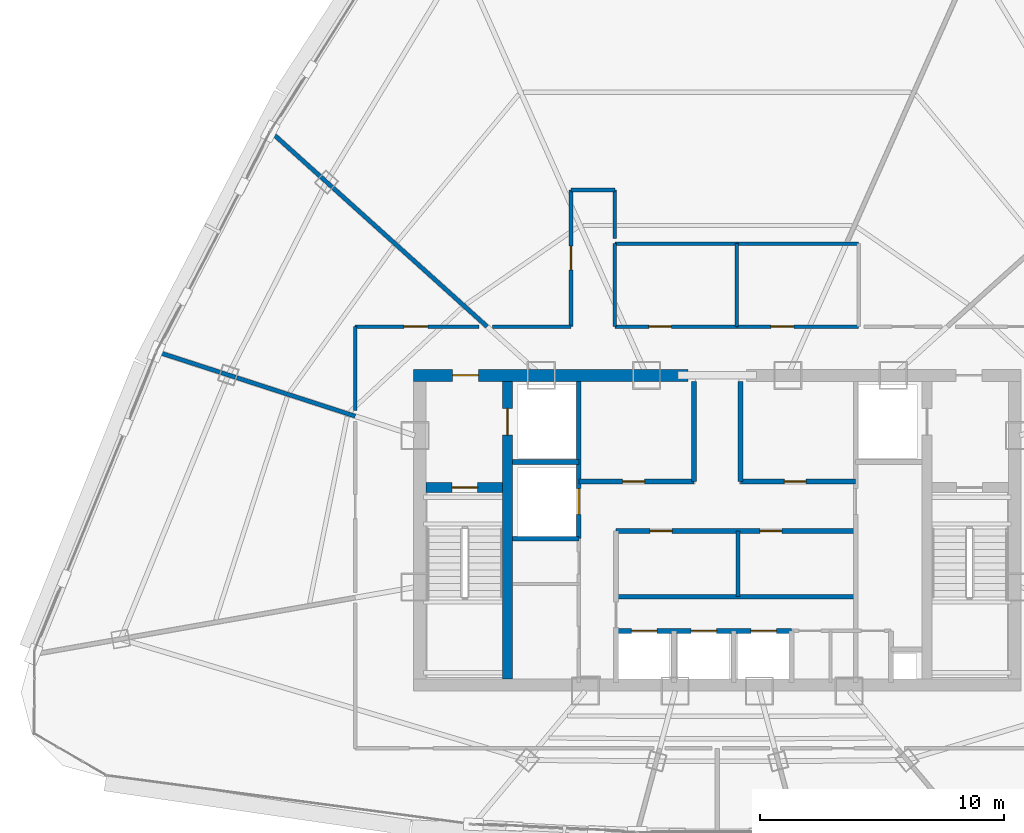
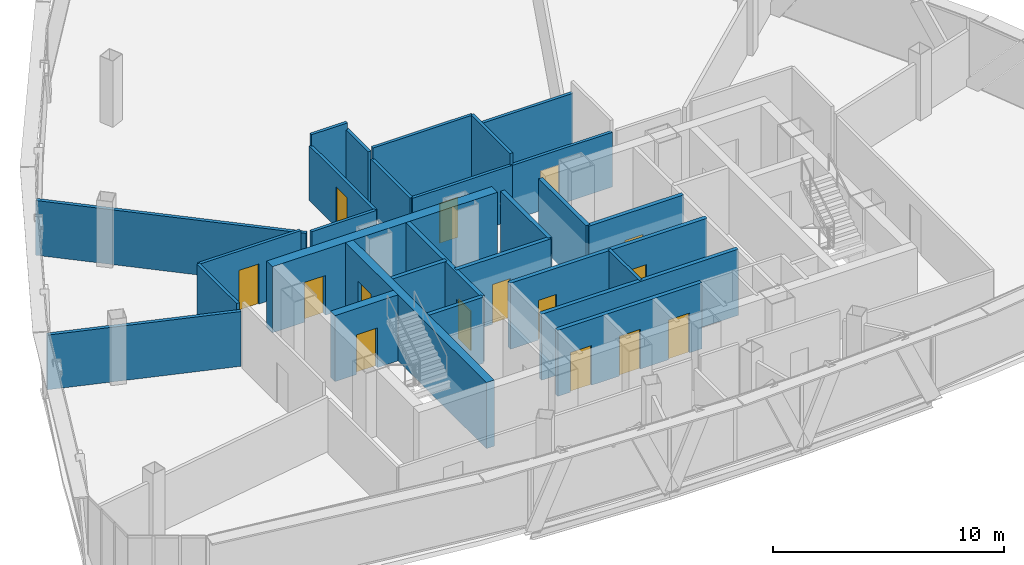
# One storey, part 23 of 28: 28 walls, 15 doors, 15 openings.
"""IFC4 building model written with IfcOpenShell, lengths in metres."""

from ifc_helpers import new_model, si_unit, direction, frame, frame_2d, origin, origin_with_axes, place, context, subcontext, project, spatial, rectangle, extrude, source, transform, mapped, material, layer, layer_set, type_object, element, fill, save


model = new_model("IFC4")

# Units and contexts
model_context = context("Model", 3, precision=1e-05, world=origin(), true_north=direction((0.0, 1.0)))
body_context = subcontext(model_context, "Body", "Model", "MODEL_VIEW")
ifc_project = project(units=[si_unit("LENGTHUNIT", "METRE"), si_unit("AREAUNIT", "SQUARE_METRE"), si_unit("VOLUMEUNIT", "CUBIC_METRE"), si_unit("PLANEANGLEUNIT", "RADIAN"), si_unit("MASSUNIT", "GRAM", prefix="KILO"), si_unit("THERMODYNAMICTEMPERATUREUNIT", "KELVIN"), si_unit("POWERUNIT", "WATT")], contexts=[model_context])

# Site, building, storey
site_placement = place(None, origin())
site = spatial("IfcSite", under=ifc_project, at=site_placement, CompositionType="ELEMENT")
building_placement = place(site_placement, origin())
building = spatial("IfcBuilding", under=site, at=building_placement, Name="Yunzhuo Pagoda Commons", CompositionType="ELEMENT")
storey_placement = place(building_placement, frame((0.0, 0.0, 336.760009765625)))
storey = spatial("IfcBuildingStorey", under=building, at=storey_placement, Name="L84", CompositionType="ELEMENT", Elevation=336.760009765625)

# Wall, opening, door
ifc_material_1 = material(Name="Concrete C50", Category="concrete")
ifc_layer_1 = layer(ifc_material_1, 0.5)
ifc_layer_set_1 = layer_set([ifc_layer_1], Name="Concrete C50")
wall_type_1 = type_object("IfcWallType", Name="W-C03 Upper Core Shear Wall 500", PredefinedType="SHEAR", material=ifc_layer_set_1)
wall_1_placement = place(storey_placement, frame((35.550048828125, 40.199951171875, 0.0), z_axis=(0.0, 0.0, 1.0), x_axis=(1.0, 0.0, 0.0)))
wall_1 = element("IfcWall", 1, at=wall_1_placement, inside=storey, type_object=wall_type_1, Name="L84 core shear wall NW", PredefinedType="SHEAR", context=body_context, shape_type="SweptSolid", body=[
    extrude(rectangle(XDim=11.25, YDim=0.5, at=frame_2d((5.625, 0.0))), origin(), (0.0, 0.0, 1.0), 3.489990234375),
])
opening_1_placement = place(wall_1_placement, frame((1.60009765625, 0.0, 0.0)))
opening_1 = element("IfcOpeningElement", 2, at=opening_1_placement, cuts=wall_1, Name="Opening D-02", PredefinedType="OPENING", context=body_context, shape_type="SweptSolid", body=[
    extrude(rectangle(XDim=1.050048828125, YDim=2.10009765625, at=frame_2d((0.52490234375, 1.050048828125))), frame((0.0, 0.260009765625, 0.0), z_axis=(0.0, -1.0, 0.0), x_axis=(1.0, 0.0, 0.0)), (0.0, 0.0, 1.0), 0.52001953125),
])
ifc_material_2 = material(Name="Galvanized fire-resisting metal leaf")
door_type_1 = type_object("IfcDoorType", Name="D-02 Firefighting Lobby & Refuge Fire Door 1050x2100", OperationType="NOTDEFINED", PredefinedType="DOOR", material=ifc_material_2)
shared_shape_1 = source(origin(), body_context, "Body", "SweptSolid", [
    extrude(rectangle(XDim=1.050048828125, YDim=2.10009765625, at=frame_2d((0.52490234375, 1.050048828125))), frame((0.0, 0.02490234375, 0.0), z_axis=(0.0, -1.0, 0.0), x_axis=(1.0, 0.0, 0.0)), (0.0, 0.0, 1.0), 0.050048828125),
])
door_1_placement = place(opening_1_placement, frame((1.050048828125, 0.0, 0.0), z_axis=(0.0, 0.0, 1.0), x_axis=(-1.0, 0.0, 0.0)))
door_1 = element("IfcDoor", 3, at=door_1_placement, inside=storey, type_object=door_type_1, Name="L84 Firefighting Lobby 1 fire door", OperationType="SINGLE_SWING_LEFT", OverallHeight=2.10009765625, OverallWidth=1.050048828125, PredefinedType="DOOR", context=body_context, shape_type="MappedRepresentation", body=[
    mapped(shared_shape_1, transform((0.0, 0.0, 0.0), scale=1.0)),
])
fill(opening_1, door_1)

# Wall
ifc_material_3 = material(Name="Gypsum plasterboard on acoustic stud")
ifc_layer_2 = layer(ifc_material_3, 0.14990234375)
ifc_layer_set_2 = layer_set([ifc_layer_2], Name="Gypsum plasterboard on acoustic stud")
wall_type_2 = type_object("IfcWallType", Name="W-COR3 High-Zone Rated Corridor Wall 150", PredefinedType="PARTITIONING", material=ifc_layer_set_2)
wall_2_placement = place(storey_placement, frame((48.85009765625, 31.1201171875, 0.0), z_axis=(0.0, 0.0, 1.0), x_axis=(0.0, 1.0, 0.0)))
element("IfcWall", 4, at=wall_2_placement, inside=storey, type_object=wall_type_2, Name="L84 interior wall IW-L84-FRMD", PredefinedType="PARTITIONING", context=body_context, shape_type="SweptSolid", body=[
    extrude(rectangle(XDim=2.699951171875, YDim=0.14990234375, at=frame_2d((1.35009765625, 0.0))), origin(), (0.0, 0.0, 1.0), 3.489990234375),
])

# Wall, opening, door
wall_3_placement = place(storey_placement, frame((43.800048828125, 42.199951171875, 0.0), z_axis=(0.0, 0.0, 1.0), x_axis=(1.0, 0.0, 0.0)))
wall_3 = element("IfcWall", 5, at=wall_3_placement, inside=storey, type_object=wall_type_2, Name="L84 interior wall IW-L84-TFWS", PredefinedType="PARTITIONING", context=body_context, shape_type="SweptSolid", body=[
    extrude(rectangle(XDim=5.0, YDim=0.14990234375, at=frame_2d((2.5, 0.0))), origin(), (0.0, 0.0, 1.0), 2.889892578125),
])
opening_2_placement = place(wall_3_placement, frame((1.39990234375, 0.0, 0.0)))
opening_2 = element("IfcOpeningElement", 6, at=opening_2_placement, cuts=wall_3, Name="Opening D-04", PredefinedType="OPENING", context=body_context, shape_type="SweptSolid", body=[
    extrude(rectangle(XDim=0.919921875, YDim=2.10009765625, at=frame_2d((0.4599609375, 1.050048828125))), frame((0.0, 0.0849609375, 0.0), z_axis=(0.0, -1.0, 0.0), x_axis=(1.0, 0.0, 0.0)), (0.0, 0.0, 1.0), 0.169921875),
])
ifc_material_4 = material(Name="Powder-coated aluminium and timber acoustic leaf", Category="wood")
door_type_2 = type_object("IfcDoorType", Name="D-04 Bedroom & Study Interior Door 920x2100", OperationType="NOTDEFINED", PredefinedType="DOOR", material=ifc_material_4)
shared_shape_2 = source(origin(), body_context, "Body", "SweptSolid", [
    extrude(rectangle(XDim=0.919921875, YDim=2.10009765625, at=frame_2d((0.4599609375, 1.050048828125))), frame((0.0, 0.02490234375, 0.0), z_axis=(0.0, -1.0, 0.0), x_axis=(1.0, 0.0, 0.0)), (0.0, 0.0, 1.0), 0.050048828125),
])
door_2_placement = place(opening_2_placement, frame((0.919921875, 0.0, 0.0), z_axis=(0.0, 0.0, 1.0), x_axis=(-1.0, 0.0, 0.0)))
door_2 = element("IfcDoor", 7, at=door_2_placement, inside=storey, type_object=door_type_2, Name="L84 laundry door", OperationType="SINGLE_SWING_LEFT", OverallHeight=2.10009765625, OverallWidth=0.919921875, PredefinedType="DOOR", context=body_context, shape_type="MappedRepresentation", body=[
    mapped(shared_shape_2, transform((0.0, 0.0, 0.0), scale=1.0)),
])
fill(opening_2, door_2)

# Walls
wall_4_placement = place(storey_placement, frame((43.800048828125, 45.60009765625, 0.0), z_axis=(0.0, 0.0, 1.0), x_axis=(1.0, 0.0, 0.0)))
element("IfcWall", 8, at=wall_4_placement, inside=storey, type_object=wall_type_2, Name="L84 interior wall IW-L84-TFWN", PredefinedType="PARTITIONING", context=body_context, shape_type="SweptSolid", body=[
    extrude(rectangle(XDim=5.0, YDim=0.14990234375, at=frame_2d((2.5, 0.0))), origin(), (0.0, 0.0, 1.0), 3.489990234375),
])
wall_5_placement = place(storey_placement, frame((43.800048828125, 42.199951171875, 0.0), z_axis=(0.0, 0.0, 1.0), x_axis=(0.0, 1.0, 0.0)))
element("IfcWall", 9, at=wall_5_placement, inside=storey, type_object=wall_type_2, Name="L84 interior wall IW-L84-TFWW", PredefinedType="PARTITIONING", context=body_context, shape_type="SweptSolid", body=[
    extrude(rectangle(XDim=3.400146484375, YDim=0.14990234375, at=frame_2d((1.7001953125, 0.0))), origin(), (0.0, 0.0, 1.0), 2.889892578125),
])

# Wall, opening, door
wall_6_placement = place(storey_placement, frame((48.800048828125, 42.199951171875, 0.0), z_axis=(0.0, 0.0, 1.0), x_axis=(1.0, 0.0, 0.0)))
wall_6 = element("IfcWall", 10, at=wall_6_placement, inside=storey, type_object=wall_type_2, Name="L84 interior wall IW-L84-TFES", PredefinedType="PARTITIONING", context=body_context, shape_type="SweptSolid", body=[
    extrude(rectangle(XDim=5.0, YDim=0.14990234375, at=frame_2d((2.5, 0.0))), origin(), (0.0, 0.0, 1.0), 2.889892578125),
])
opening_3_placement = place(wall_6_placement, frame((1.39990234375, 0.0, 0.0)))
opening_3 = element("IfcOpeningElement", 11, at=opening_3_placement, cuts=wall_6, Name="Opening D-11", PredefinedType="OPENING", context=body_context, shape_type="SweptSolid", body=[
    extrude(rectangle(XDim=0.93994140625, YDim=2.10009765625, at=frame_2d((0.469970703125, 1.050048828125))), frame((0.0, 0.0849609375, 0.0), z_axis=(0.0, -1.0, 0.0), x_axis=(1.0, 0.0, 0.0)), (0.0, 0.0, 1.0), 0.169921875),
])
door_type_3 = type_object("IfcDoorType", Name="D-11 Accessible Washroom Fire Door 940x2100", OperationType="NOTDEFINED", PredefinedType="DOOR", material=ifc_material_2)
shared_shape_3 = source(origin(), body_context, "Body", "SweptSolid", [
    extrude(rectangle(XDim=0.93994140625, YDim=2.10009765625, at=frame_2d((0.469970703125, 1.050048828125))), frame((0.0, 0.02490234375, 0.0), z_axis=(0.0, -1.0, 0.0), x_axis=(1.0, 0.0, 0.0)), (0.0, 0.0, 1.0), 0.050048828125),
])
door_3_placement = place(opening_3_placement, frame((0.93994140625, 0.0, 0.0), z_axis=(0.0, 0.0, 1.0), x_axis=(-1.0, 0.0, 0.0)))
door_3 = element("IfcDoor", 12, at=door_3_placement, inside=storey, type_object=door_type_3, Name="L84 accessible WC door", OperationType="SINGLE_SWING_RIGHT", OverallHeight=2.10009765625, OverallWidth=0.93994140625, PredefinedType="DOOR", context=body_context, shape_type="MappedRepresentation", body=[
    mapped(shared_shape_3, transform((0.0, 0.0, 0.0), scale=1.0)),
])
fill(opening_3, door_3)

# Walls
wall_7_placement = place(storey_placement, frame((48.800048828125, 45.60009765625, 0.0), z_axis=(0.0, 0.0, 1.0), x_axis=(1.0, 0.0, 0.0)))
element("IfcWall", 13, at=wall_7_placement, inside=storey, type_object=wall_type_2, Name="L84 interior wall IW-L84-TFEN", PredefinedType="PARTITIONING", context=body_context, shape_type="SweptSolid", body=[
    extrude(rectangle(XDim=5.0, YDim=0.14990234375, at=frame_2d((2.5, 0.0))), origin(), (0.0, 0.0, 1.0), 2.889892578125),
])
wall_8_placement = place(storey_placement, frame((48.800048828125, 42.199951171875, 0.0), z_axis=(0.0, 0.0, 1.0), x_axis=(0.0, 1.0, 0.0)))
element("IfcWall", 14, at=wall_8_placement, inside=storey, type_object=wall_type_2, Name="L84 interior wall IW-L84-TFEW", PredefinedType="PARTITIONING", context=body_context, shape_type="SweptSolid", body=[
    extrude(rectangle(XDim=3.400146484375, YDim=0.14990234375, at=frame_2d((1.7001953125, 0.0))), origin(), (0.0, 0.0, 1.0), 3.489990234375),
])
wall_9_placement = place(storey_placement, frame((33.14990234375, 38.75634765625, 0.0), z_axis=(0.0, 0.0, 1.0), x_axis=(0.0, 1.0, 0.0)))
element("IfcWall", 15, at=wall_9_placement, inside=storey, type_object=wall_type_2, Name="L84 interior wall IW-L84-CWL03", PredefinedType="PARTITIONING", context=body_context, shape_type="SweptSolid", body=[
    extrude(rectangle(XDim=3.443603515625, YDim=0.14990234375, at=frame_2d((1.7216796875, 0.0))), origin(), (0.0, 0.0, 1.0), 3.139892578125),
])

# Wall, opening, door
wall_10_placement = place(storey_placement, frame((33.14990234375, 42.199951171875, 0.0), z_axis=(0.0, 0.0, 1.0), x_axis=(1.0, 0.0, 0.0)))
wall_10 = element("IfcWall", 16, at=wall_10_placement, inside=storey, type_object=wall_type_2, Name="L84 interior wall IW-L84-CWL04", PredefinedType="PARTITIONING", context=body_context, shape_type="SweptSolid", body=[
    extrude(rectangle(XDim=5.0810546875, YDim=0.14990234375, at=frame_2d((2.54052734375, 0.0))), origin(), (0.0, 0.0, 1.0), 3.139892578125),
])
opening_4_placement = place(wall_10_placement, frame((2.0, 0.0, 0.0)))
opening_4 = element("IfcOpeningElement", 17, at=opening_4_placement, cuts=wall_10, Name="Opening D-08", PredefinedType="OPENING", context=body_context, shape_type="SweptSolid", body=[
    extrude(rectangle(XDim=0.97998046875, YDim=2.1201171875, at=frame_2d((0.489990234375, 1.06005859375))), frame((0.0, 0.0849609375, 0.0), z_axis=(0.0, -1.0, 0.0), x_axis=(1.0, 0.0, 0.0)), (0.0, 0.0, 1.0), 0.169921875),
])
door_type_4 = type_object("IfcDoorType", Name="D-08 High-Zone Suite Entrance Fire Door 980x2120", OperationType="NOTDEFINED", PredefinedType="DOOR", material=ifc_material_2)
shared_shape_4 = source(origin(), body_context, "Body", "SweptSolid", [
    extrude(rectangle(XDim=0.97998046875, YDim=2.1201171875, at=frame_2d((0.489990234375, 1.06005859375))), frame((0.0, 0.02490234375, 0.0), z_axis=(0.0, -1.0, 0.0), x_axis=(1.0, 0.0, 0.0)), (0.0, 0.0, 1.0), 0.050048828125),
])
door_4_placement = place(opening_4_placement, origin_with_axes())
door_4 = element("IfcDoor", 18, at=door_4_placement, inside=storey, type_object=door_type_4, Name="L84 unit 04 entrance door", OperationType="SINGLE_SWING_LEFT", OverallHeight=2.1201171875, OverallWidth=0.97998046875, PredefinedType="DOOR", context=body_context, shape_type="MappedRepresentation", body=[
    mapped(shared_shape_4, transform((0.0, 0.0, 0.0), scale=1.0)),
])
fill(opening_4, door_4)

# Wall
wall_11_placement = place(storey_placement, frame((38.779541015625, 42.199951171875, 0.0), z_axis=(0.0, 0.0, 1.0), x_axis=(1.0, 0.0, 0.0)))
element("IfcWall", 19, at=wall_11_placement, inside=storey, type_object=wall_type_2, Name="L84 interior wall IW-L84-CWL05", PredefinedType="PARTITIONING", context=body_context, shape_type="SweptSolid", body=[
    extrude(rectangle(XDim=3.220458984375, YDim=0.14990234375, at=frame_2d((1.6103515625, 0.0))), origin(), (0.0, 0.0, 1.0), 2.889892578125),
])

# Wall, opening, door
wall_12_placement = place(storey_placement, frame((42.0, 42.199951171875, 0.0), z_axis=(0.0, 0.0, 1.0), x_axis=(0.0, 1.0, 0.0)))
wall_12 = element("IfcWall", 20, at=wall_12_placement, inside=storey, type_object=wall_type_2, Name="L84 interior wall IW-L84-CWL06", PredefinedType="PARTITIONING", context=body_context, shape_type="SweptSolid", body=[
    extrude(rectangle(XDim=5.60009765625, YDim=0.14990234375, at=frame_2d((2.800048828125, 0.0))), origin(), (0.0, 0.0, 1.0), 2.889892578125),
])
opening_5_placement = place(wall_12_placement, frame((2.324951171875, 0.0, 0.0)))
opening_5 = element("IfcOpeningElement", 21, at=opening_5_placement, cuts=wall_12, Name="Opening D-08", PredefinedType="OPENING", context=body_context, shape_type="SweptSolid", body=[
    extrude(rectangle(XDim=0.97998046875, YDim=2.1201171875, at=frame_2d((0.489990234375, 1.06005859375))), frame((0.0, 0.0849609375, 0.0), z_axis=(0.0, -1.0, 0.0), x_axis=(1.0, 0.0, 0.0)), (0.0, 0.0, 1.0), 0.169921875),
])
door_5_placement = place(opening_5_placement, origin_with_axes())
door_5 = element("IfcDoor", 22, at=door_5_placement, inside=storey, type_object=door_type_4, Name="L84 Shared Resident Kitchen and Pantry door", OperationType="SINGLE_SWING_RIGHT", OverallHeight=2.1201171875, OverallWidth=0.97998046875, PredefinedType="DOOR", context=body_context, shape_type="MappedRepresentation", body=[
    mapped(shared_shape_4, transform((0.0, 0.0, 0.0), scale=1.0)),
])
fill(opening_5, door_5)

# Walls
wall_13_placement = place(storey_placement, frame((42.0, 47.800048828125, 0.0), z_axis=(0.0, 0.0, 1.0), x_axis=(1.0, 0.0, 0.0)))
element("IfcWall", 23, at=wall_13_placement, inside=storey, type_object=wall_type_2, Name="L84 interior wall IW-L84-CWL07", PredefinedType="PARTITIONING", context=body_context, shape_type="SweptSolid", body=[
    extrude(rectangle(XDim=1.800048828125, YDim=0.14990234375, at=frame_2d((0.89990234375, 0.0))), origin(), (0.0, 0.0, 1.0), 3.489990234375),
])
wall_14_placement = place(storey_placement, frame((43.800048828125, 47.800048828125, 0.0), z_axis=(0.0, 0.0, 1.0), x_axis=(0.0, -1.0, 0.0)))
element("IfcWall", 24, at=wall_14_placement, inside=storey, type_object=wall_type_2, Name="L84 interior wall IW-L84-CWL08", PredefinedType="PARTITIONING", context=body_context, shape_type="SweptSolid", body=[
    extrude(rectangle(XDim=1.97998046875, YDim=0.14990234375, at=frame_2d((0.989990234375, 0.0))), origin(), (0.0, 0.0, 1.0), 3.139892578125),
])
ifc_layer_3 = layer(ifc_material_3, 0.169921875)
ifc_layer_set_3 = layer_set([ifc_layer_3], Name="Gypsum plasterboard on acoustic stud")
wall_type_3 = type_object("IfcWallType", Name="W-PRT4 High-Zone Demising Wall 170", PredefinedType="PARTITIONING", material=ifc_layer_set_3)
wall_15_placement = place(storey_placement, frame((38.559814453125, 42.199951171875, 0.0), z_axis=(0.0, 0.0, 1.0), x_axis=(-0.743141978473, 0.669133768264, 0.0)))
element("IfcWall", 25, at=wall_15_placement, inside=storey, type_object=wall_type_3, Name="L84 interior wall IW-L84-RAD04", PredefinedType="PARTITIONING", context=body_context, shape_type="SweptSolid", body=[
    extrude(rectangle(XDim=11.96826171875, YDim=0.169921875, at=frame_2d((5.984130859375, 0.0))), origin(), (0.0, 0.0, 1.0), 2.889892578125),
])
wall_16_placement = place(storey_placement, frame((33.14990234375, 38.525146484375, 0.0), z_axis=(0.0, 0.0, 1.0), x_axis=(-0.951059599238, 0.309007505891, 0.0)))
element("IfcWall", 26, at=wall_16_placement, inside=storey, type_object=wall_type_3, Name="L84 interior wall IW-L84-RAD05", PredefinedType="PARTITIONING", context=body_context, shape_type="SweptSolid", body=[
    extrude(rectangle(XDim=8.572265625, YDim=0.169921875, at=frame_2d((4.2861328125, 0.0))), origin(), (0.0, 0.0, 1.0), 2.889892578125),
])

# Wall, opening, door
ifc_material_5 = material(Name="Concrete C60", Category="concrete")
ifc_layer_4 = layer(ifc_material_5, 0.39990234375)
ifc_layer_set_4 = layer_set([ifc_layer_4], Name="Concrete C60")
wall_type_4 = type_object("IfcWallType", Name="W-S01 Internal Core Shear Web 400", PredefinedType="SHEAR", material=ifc_layer_set_4)
wall_17_placement = place(storey_placement, frame((39.39990234375, 27.75, 0.0), z_axis=(0.0, 0.0, 1.0), x_axis=(0.0, 1.0, 0.0)))
wall_17 = element("IfcWall", 27, at=wall_17_placement, inside=storey, type_object=wall_type_4, Name="L84 core shear wall WEBW", PredefinedType="SHEAR", context=body_context, shape_type="SweptSolid", body=[
    extrude(rectangle(XDim=12.199951171875, YDim=0.39990234375, at=frame_2d((6.10009765625, 0.0))), origin(), (0.0, 0.0, 1.0), 3.489990234375),
])
opening_6_placement = place(wall_17_placement, frame((10.0, 0.0, 0.0)))
opening_6 = element("IfcOpeningElement", 28, at=opening_6_placement, cuts=wall_17, Name="Opening LD-01", PredefinedType="OPENING", context=body_context, shape_type="SweptSolid", body=[
    extrude(rectangle(XDim=1.10009765625, YDim=2.10009765625, at=frame_2d((0.550048828125, 1.050048828125))), frame((0.0, 0.2099609375, 0.0), z_axis=(0.0, -1.0, 0.0), x_axis=(1.0, 0.0, 0.0)), (0.0, 0.0, 1.0), 0.419921875),
])
door_type_5 = type_object("IfcDoorType", Name="LD-01 Firefighting Lift Landing Door 1100x2100", OperationType="DOUBLE_DOOR_SLIDING", PredefinedType="DOOR", material=ifc_material_2)
shared_shape_5 = source(origin(), body_context, "Body", "SweptSolid", [
    extrude(rectangle(XDim=1.10009765625, YDim=2.10009765625, at=frame_2d((0.550048828125, 1.050048828125))), frame((0.0, 0.02490234375, 0.0), z_axis=(0.0, -1.0, 0.0), x_axis=(1.0, 0.0, 0.0)), (0.0, 0.0, 1.0), 0.050048828125),
])
door_6_placement = place(opening_6_placement, frame((1.10009765625, 0.0, 0.0), z_axis=(0.0, 0.0, 1.0), x_axis=(-1.0, 0.0, 0.0)))
door_6 = element("IfcDoor", 29, at=door_6_placement, inside=storey, type_object=door_type_5, Name="L84 Firefighting lift FL-1 landing door", OperationType="DOUBLE_DOOR_SLIDING", OverallHeight=2.10009765625, OverallWidth=1.10009765625, PredefinedType="DOOR", context=body_context, shape_type="MappedRepresentation", body=[
    mapped(shared_shape_5, transform((0.0, 0.0, 0.0), scale=1.0)),
])
fill(opening_6, door_6)

wall_18_placement = place(storey_placement, frame((36.050048828125, 35.60009765625, 0.0), z_axis=(0.0, 0.0, 1.0), x_axis=(1.0, 0.0, 0.0)))
wall_18 = element("IfcWall", 30, at=wall_18_placement, inside=storey, type_object=wall_type_4, Name="L84 core shear wall STW", PredefinedType="SHEAR", context=body_context, shape_type="SweptSolid", body=[
    extrude(rectangle(XDim=3.14990234375, YDim=0.39990234375, at=frame_2d((1.574951171875, 0.0))), origin(), (0.0, 0.0, 1.0), 3.489990234375),
])
opening_7_placement = place(wall_18_placement, frame((1.070068359375, 0.0, 0.0)))
opening_7 = element("IfcOpeningElement", 31, at=opening_7_placement, cuts=wall_18, Name="Opening D-01", PredefinedType="OPENING", context=body_context, shape_type="SweptSolid", body=[
    extrude(rectangle(XDim=1.050048828125, YDim=2.10009765625, at=frame_2d((0.52490234375, 1.050048828125))), frame((0.0, 0.2099609375, 0.0), z_axis=(0.0, -1.0, 0.0), x_axis=(1.0, 0.0, 0.0)), (0.0, 0.0, 1.0), 0.419921875),
])
door_type_6 = type_object("IfcDoorType", Name="D-01 Smokeproof Stair Fire Door 1050x2100", OperationType="NOTDEFINED", PredefinedType="DOOR", material=ifc_material_2)
door_7_placement = place(opening_7_placement, frame((1.050048828125, 0.0, 0.0), z_axis=(0.0, 0.0, 1.0), x_axis=(-1.0, 0.0, 0.0)))
door_7 = element("IfcDoor", 32, at=door_7_placement, inside=storey, type_object=door_type_6, Name="L84 Stair ST1 fire door", OperationType="SINGLE_SWING_LEFT", OverallHeight=2.10009765625, OverallWidth=1.050048828125, PredefinedType="DOOR", context=body_context, shape_type="MappedRepresentation", body=[
    mapped(shared_shape_1, transform((0.0, 0.0, 0.0), scale=1.0)),
])
fill(opening_7, door_7)

ifc_material_6 = material(Name="Concrete C40", Category="concrete")
ifc_layer_5 = layer(ifc_material_6, 0.199951171875)
ifc_layer_set_5 = layer_set([ifc_layer_5], Name="Concrete C40")
wall_type_5 = type_object("IfcWallType", Name="W-SHF Shaft & Stair Enclosure Wall 200", PredefinedType="SOLIDWALL", material=ifc_layer_set_5)
wall_19_placement = place(storey_placement, frame((42.320068359375, 33.5, 0.0), z_axis=(0.0, 0.0, 1.0), x_axis=(0.0, 1.0, 0.0)))
wall_19 = element("IfcWall", 33, at=wall_19_placement, inside=storey, type_object=wall_type_5, Name="L84 interior wall IW-L84-FL1E", PredefinedType="SOLIDWALL", context=body_context, shape_type="SweptSolid", body=[
    extrude(rectangle(XDim=6.449951171875, YDim=0.199951171875, at=frame_2d((3.22509765625, 0.0))), origin(), (0.0, 0.0, 1.0), 3.489990234375),
])
opening_8_placement = place(wall_19_placement, frame((1.0, 0.0, 0.0)))
opening_8 = element("IfcOpeningElement", 34, at=opening_8_placement, cuts=wall_19, Name="Opening LD-02", PredefinedType="OPENING", context=body_context, shape_type="SweptSolid", body=[
    extrude(rectangle(XDim=1.050048828125, YDim=2.10009765625, at=frame_2d((0.52490234375, 1.050048828125))), frame((0.0, 0.10986328125, 0.0), z_axis=(0.0, -1.0, 0.0), x_axis=(1.0, 0.0, 0.0)), (0.0, 0.0, 1.0), 0.219970703125),
])
door_type_7 = type_object("IfcDoorType", Name="LD-02 Passenger Lift Landing Door 1050x2100", OperationType="DOUBLE_DOOR_SLIDING", PredefinedType="DOOR", material=ifc_material_2)
door_8_placement = place(opening_8_placement, origin_with_axes())
door_8 = element("IfcDoor", 35, at=door_8_placement, inside=storey, type_object=door_type_7, Name="L84 Service lift SL-1 landing door", OperationType="DOUBLE_DOOR_SLIDING", OverallHeight=2.10009765625, OverallWidth=1.050048828125, PredefinedType="DOOR", context=body_context, shape_type="MappedRepresentation", body=[
    mapped(shared_shape_1, transform((0.0, 0.0, 0.0), scale=1.0)),
])
fill(opening_8, door_8)

# Walls
for number, where, z_axis, x_axis, name in (
    (36, (39.60009765625, 36.64990234375, 0.0), (0.0, 0.0, 1.0), (1.0, 0.0, 0.0), "L84 interior wall IW-L84-FL1S"),
    (37, (39.60009765625, 33.5, 0.0), (0.0, 0.0, 1.0), (1.0, 0.0, 0.0), "L84 interior wall IW-L84-SL1S"),
):
    element("IfcWall", number, at=place(storey_placement, frame(where, z_axis=z_axis, x_axis=x_axis)), inside=storey, type_object=wall_type_5, Name=name, PredefinedType="SOLIDWALL", context=body_context, shape_type="SweptSolid", body=[
        extrude(rectangle(XDim=2.719970703125, YDim=0.199951171875, at=frame_2d((1.35986328125, 0.0))), origin(), (0.0, 0.0, 1.0), 3.489990234375),
    ])

# Wall, opening, door
wall_20_placement = place(storey_placement, frame((42.320068359375, 35.85009765625, 0.0), z_axis=(0.0, 0.0, 1.0), x_axis=(1.0, 0.0, 0.0)))
wall_20 = element("IfcWall", 38, at=wall_20_placement, inside=storey, type_object=wall_type_5, Name="L84 interior wall IW-L84-LBNW", PredefinedType="SOLIDWALL", context=body_context, shape_type="SweptSolid", body=[
    extrude(rectangle(XDim=4.72998046875, YDim=0.199951171875, at=frame_2d((2.364990234375, 0.0))), origin(), (0.0, 0.0, 1.0), 3.489990234375),
])
opening_9_placement = place(wall_20_placement, frame((1.800048828125, 0.0, 0.0)))
opening_9 = element("IfcOpeningElement", 39, at=opening_9_placement, cuts=wall_20, Name="Opening D-03", PredefinedType="OPENING", context=body_context, shape_type="SweptSolid", body=[
    extrude(rectangle(XDim=0.89990234375, YDim=2.10009765625, at=frame_2d((0.449951171875, 1.050048828125))), frame((0.0, 0.10986328125, 0.0), z_axis=(0.0, -1.0, 0.0), x_axis=(1.0, 0.0, 0.0)), (0.0, 0.0, 1.0), 0.219970703125),
])
door_type_8 = type_object("IfcDoorType", Name="D-03 Core Service Fire Door 900x2100", OperationType="NOTDEFINED", PredefinedType="DOOR", material=ifc_material_2)
shared_shape_6 = source(origin(), body_context, "Body", "SweptSolid", [
    extrude(rectangle(XDim=0.89990234375, YDim=2.10009765625, at=frame_2d((0.449951171875, 1.050048828125))), frame((0.0, 0.02490234375, 0.0), z_axis=(0.0, -1.0, 0.0), x_axis=(1.0, 0.0, 0.0)), (0.0, 0.0, 1.0), 0.050048828125),
])
door_9_placement = place(opening_9_placement, frame((0.89990234375, 0.0, 0.0), z_axis=(0.0, 0.0, 1.0), x_axis=(-1.0, 0.0, 0.0)))
door_9 = element("IfcDoor", 40, at=door_9_placement, inside=storey, type_object=door_type_8, Name="L84 core west store door", OperationType="SINGLE_SWING_LEFT", OverallHeight=2.10009765625, OverallWidth=0.89990234375, PredefinedType="DOOR", context=body_context, shape_type="MappedRepresentation", body=[
    mapped(shared_shape_6, transform((0.0, 0.0, 0.0), scale=1.0)),
])
fill(opening_9, door_9)

wall_21_placement = place(storey_placement, frame((48.949951171875, 35.85009765625, 0.0), z_axis=(0.0, 0.0, 1.0), x_axis=(1.0, 0.0, 0.0)))
wall_21 = element("IfcWall", 41, at=wall_21_placement, inside=storey, type_object=wall_type_5, Name="L84 interior wall IW-L84-LBNE", PredefinedType="SOLIDWALL", context=body_context, shape_type="SweptSolid", body=[
    extrude(rectangle(XDim=4.72998046875, YDim=0.199951171875, at=frame_2d((2.364990234375, 0.0))), origin(), (0.0, 0.0, 1.0), 3.489990234375),
])
opening_10_placement = place(wall_21_placement, frame((1.800048828125, 0.0, 0.0)))
opening_10 = element("IfcOpeningElement", 42, at=opening_10_placement, cuts=wall_21, Name="Opening D-03", PredefinedType="OPENING", context=body_context, shape_type="SweptSolid", body=[
    extrude(rectangle(XDim=0.89990234375, YDim=2.10009765625, at=frame_2d((0.449951171875, 1.050048828125))), frame((0.0, 0.10986328125, 0.0), z_axis=(0.0, -1.0, 0.0), x_axis=(1.0, 0.0, 0.0)), (0.0, 0.0, 1.0), 0.219970703125),
])
door_10_placement = place(opening_10_placement, frame((0.89990234375, 0.0, 0.0), z_axis=(0.0, 0.0, 1.0), x_axis=(-1.0, 0.0, 0.0)))
door_10 = element("IfcDoor", 43, at=door_10_placement, inside=storey, type_object=door_type_8, Name="L84 core east store door", OperationType="SINGLE_SWING_RIGHT", OverallHeight=2.10009765625, OverallWidth=0.89990234375, PredefinedType="DOOR", context=body_context, shape_type="MappedRepresentation", body=[
    mapped(shared_shape_6, transform((0.0, 0.0, 0.0), scale=1.0)),
])
fill(opening_10, door_10)

# Walls
for number, where, z_axis, x_axis, name in (
    (44, (47.050048828125, 35.85009765625, 0.0), (0.0, 0.0, 1.0), (0.0, 1.0, 0.0), "L84 interior wall IW-L84-THRW"),
    (45, (48.949951171875, 35.85009765625, 0.0), (0.0, 0.0, 1.0), (0.0, 1.0, 0.0), "L84 interior wall IW-L84-THRE"),
):
    element("IfcWall", number, at=place(storey_placement, frame(where, z_axis=z_axis, x_axis=x_axis)), inside=storey, type_object=wall_type_5, Name=name, PredefinedType="SOLIDWALL", context=body_context, shape_type="SweptSolid", body=[
        extrude(rectangle(XDim=4.099853515625, YDim=0.199951171875, at=frame_2d((2.0498046875, 0.0))), origin(), (0.0, 0.0, 1.0), 3.489990234375),
    ])

# Wall, openings, doors
wall_22_placement = place(storey_placement, frame((43.85009765625, 33.820068359375, 0.0), z_axis=(0.0, 0.0, 1.0), x_axis=(1.0, 0.0, 0.0)))
wall_22 = element("IfcWall", 46, at=wall_22_placement, inside=storey, type_object=wall_type_5, Name="L84 interior wall IW-L84-MLBS", PredefinedType="SOLIDWALL", context=body_context, shape_type="SweptSolid", body=[
    extrude(rectangle(XDim=9.829833984375, YDim=0.199951171875, at=frame_2d((4.9150390625, 0.0))), origin(), (0.0, 0.0, 1.0), 3.489990234375),
])
opening_11_placement = place(wall_22_placement, frame((1.39990234375, 0.0, 0.0)))
opening_11 = element("IfcOpeningElement", 47, at=opening_11_placement, cuts=wall_22, Name="Opening D-03", PredefinedType="OPENING", context=body_context, shape_type="SweptSolid", body=[
    extrude(rectangle(XDim=0.89990234375, YDim=2.10009765625, at=frame_2d((0.449951171875, 1.050048828125))), frame((0.0, 0.10986328125, 0.0), z_axis=(0.0, -1.0, 0.0), x_axis=(1.0, 0.0, 0.0)), (0.0, 0.0, 1.0), 0.219970703125),
])
opening_12_placement = place(wall_22_placement, frame((5.89990234375, 0.0, 0.0)))
opening_12 = element("IfcOpeningElement", 48, at=opening_12_placement, cuts=wall_22, Name="Opening D-03", PredefinedType="OPENING", context=body_context, shape_type="SweptSolid", body=[
    extrude(rectangle(XDim=0.89990234375, YDim=2.10009765625, at=frame_2d((0.449951171875, 1.050048828125))), frame((0.0, 0.10986328125, 0.0), z_axis=(0.0, -1.0, 0.0), x_axis=(1.0, 0.0, 0.0)), (0.0, 0.0, 1.0), 0.219970703125),
])
door_11_placement = place(opening_11_placement, origin_with_axes())
door_11 = element("IfcDoor", 49, at=door_11_placement, inside=storey, type_object=door_type_8, Name="L84 core mid-west store door", OperationType="SINGLE_SWING_LEFT", OverallHeight=2.10009765625, OverallWidth=0.89990234375, PredefinedType="DOOR", context=body_context, shape_type="MappedRepresentation", body=[
    mapped(shared_shape_6, transform((0.0, 0.0, 0.0), scale=1.0)),
])
fill(opening_11, door_11)
door_12_placement = place(opening_12_placement, origin_with_axes())
door_12 = element("IfcDoor", 50, at=door_12_placement, inside=storey, type_object=door_type_8, Name="L84 core mid-east store door", OperationType="SINGLE_SWING_RIGHT", OverallHeight=2.10009765625, OverallWidth=0.89990234375, PredefinedType="DOOR", context=body_context, shape_type="MappedRepresentation", body=[
    mapped(shared_shape_6, transform((0.0, 0.0, 0.0), scale=1.0)),
])
fill(opening_12, door_12)

wall_23_placement = place(storey_placement, frame((43.85009765625, 29.719970703125, 0.0), z_axis=(0.0, 0.0, 1.0), x_axis=(1.0, 0.0, 0.0)))
wall_23 = element("IfcWall", 51, at=wall_23_placement, inside=storey, type_object=wall_type_5, Name="L84 interior wall IW-L84-PLHN", PredefinedType="SOLIDWALL", context=body_context, shape_type="SweptSolid", body=[
    extrude(rectangle(XDim=7.199951171875, YDim=0.199951171875, at=frame_2d((3.60009765625, 0.0))), origin(), (0.0, 0.0, 1.0), 3.489990234375),
])
opening_13_placement = place(wall_23_placement, frame((0.625, 0.0, 0.0)))
opening_13 = element("IfcOpeningElement", 52, at=opening_13_placement, cuts=wall_23, Name="Opening LD-02", PredefinedType="OPENING", context=body_context, shape_type="SweptSolid", body=[
    extrude(rectangle(XDim=1.050048828125, YDim=2.10009765625, at=frame_2d((0.52490234375, 1.050048828125))), frame((0.0, 0.10986328125, 0.0), z_axis=(0.0, -1.0, 0.0), x_axis=(1.0, 0.0, 0.0)), (0.0, 0.0, 1.0), 0.219970703125),
])
opening_14_placement = place(wall_23_placement, frame((3.074951171875, 0.0, 0.0)))
opening_14 = element("IfcOpeningElement", 53, at=opening_14_placement, cuts=wall_23, Name="Opening LD-02", PredefinedType="OPENING", context=body_context, shape_type="SweptSolid", body=[
    extrude(rectangle(XDim=1.050048828125, YDim=2.10009765625, at=frame_2d((0.52490234375, 1.050048828125))), frame((0.0, 0.10986328125, 0.0), z_axis=(0.0, -1.0, 0.0), x_axis=(1.0, 0.0, 0.0)), (0.0, 0.0, 1.0), 0.219970703125),
])
opening_15_placement = place(wall_23_placement, frame((5.52490234375, 0.0, 0.0)))
opening_15 = element("IfcOpeningElement", 54, at=opening_15_placement, cuts=wall_23, Name="Opening LD-02", PredefinedType="OPENING", context=body_context, shape_type="SweptSolid", body=[
    extrude(rectangle(XDim=1.050048828125, YDim=2.10009765625, at=frame_2d((0.52490234375, 1.050048828125))), frame((0.0, 0.10986328125, 0.0), z_axis=(0.0, -1.0, 0.0), x_axis=(1.0, 0.0, 0.0)), (0.0, 0.0, 1.0), 0.219970703125),
])
door_13_placement = place(opening_13_placement, origin_with_axes())
door_13 = element("IfcDoor", 55, at=door_13_placement, inside=storey, type_object=door_type_7, Name="L84 Passenger lift PL-H1 landing door", OperationType="DOUBLE_DOOR_SLIDING", OverallHeight=2.10009765625, OverallWidth=1.050048828125, PredefinedType="DOOR", context=body_context, shape_type="MappedRepresentation", body=[
    mapped(shared_shape_1, transform((0.0, 0.0, 0.0), scale=1.0)),
])
fill(opening_13, door_13)
door_14_placement = place(opening_14_placement, origin_with_axes())
door_14 = element("IfcDoor", 56, at=door_14_placement, inside=storey, type_object=door_type_7, Name="L84 Passenger lift PL-H2 landing door", OperationType="DOUBLE_DOOR_SLIDING", OverallHeight=2.10009765625, OverallWidth=1.050048828125, PredefinedType="DOOR", context=body_context, shape_type="MappedRepresentation", body=[
    mapped(shared_shape_1, transform((0.0, 0.0, 0.0), scale=1.0)),
])
fill(opening_14, door_14)
door_15_placement = place(opening_15_placement, origin_with_axes())
door_15 = element("IfcDoor", 57, at=door_15_placement, inside=storey, type_object=door_type_7, Name="L84 Passenger lift PL-H3 landing door", OperationType="DOUBLE_DOOR_SLIDING", OverallHeight=2.10009765625, OverallWidth=1.050048828125, PredefinedType="DOOR", context=body_context, shape_type="MappedRepresentation", body=[
    mapped(shared_shape_1, transform((0.0, 0.0, 0.0), scale=1.0)),
])
fill(opening_15, door_15)

# Wall
wall_24_placement = place(storey_placement, frame((43.85009765625, 31.1201171875, 0.0), z_axis=(0.0, 0.0, 1.0), x_axis=(1.0, 0.0, 0.0)))
element("IfcWall", 58, at=wall_24_placement, inside=storey, type_object=wall_type_5, Name="L84 interior wall IW-L84-PLMS2", PredefinedType="SOLIDWALL", context=body_context, shape_type="SweptSolid", body=[
    extrude(rectangle(XDim=9.829833984375, YDim=0.199951171875, at=frame_2d((4.9150390625, 0.0))), origin(), (0.0, 0.0, 1.0), 3.489990234375),
])

save(model, "model.ifc")
